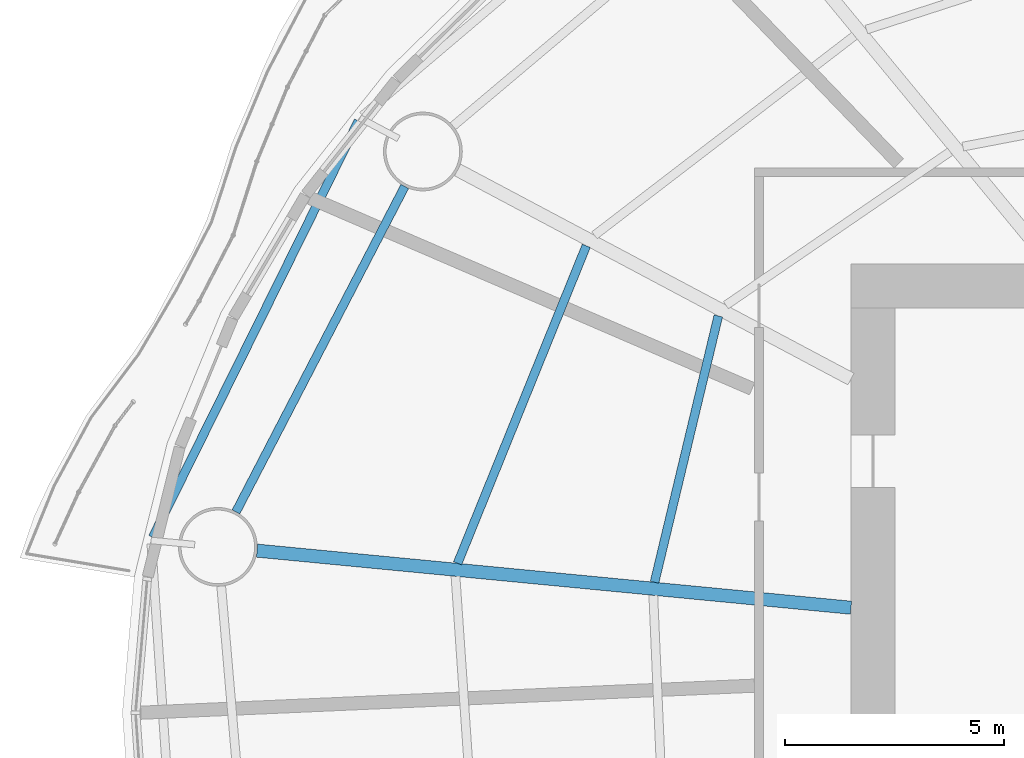
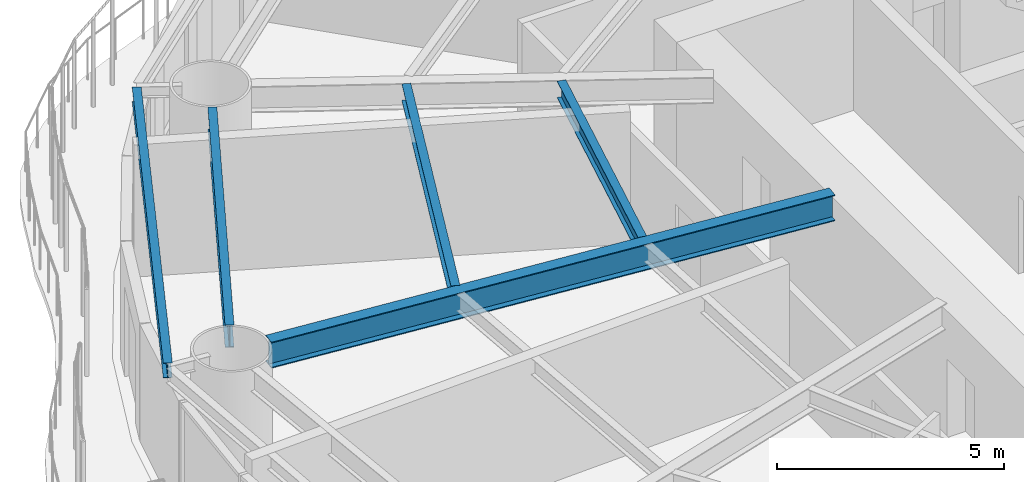
# One storey, part 3 of 16: 5 beams.
"""IFC4 building model written with IfcOpenShell, lengths in metres."""

from ifc_helpers import new_model, si_unit, direction, frame, origin, origin_2d, place, context, subcontext, project, spatial, i_section, extrude, material, material_profile, profile_set, type_object, element, save


model = new_model("IFC4")

# Units and contexts
model_context = context("Model", 3, precision=1e-05, world=origin(), true_north=direction((0.0, 1.0)))
body_context = subcontext(model_context, "Body", "Model", "MODEL_VIEW")
ifc_project = project(units=[si_unit("LENGTHUNIT", "METRE"), si_unit("AREAUNIT", "SQUARE_METRE"), si_unit("VOLUMEUNIT", "CUBIC_METRE"), si_unit("PLANEANGLEUNIT", "RADIAN"), si_unit("MASSUNIT", "GRAM", prefix="KILO")], contexts=[model_context])

# Site, building, storey
site_placement = place(None, origin())
site = spatial("IfcSite", under=ifc_project, at=site_placement, CompositionType="ELEMENT")
building_placement = place(site_placement, origin())
building = spatial("IfcBuilding", under=site, at=building_placement, Name="Vermilion Reach Broadcast Tower", CompositionType="ELEMENT")
storey_placement = place(building_placement, frame((0.0, 0.0, 69.300048828125)))
storey = spatial("IfcBuildingStorey", under=building, at=storey_placement, Name="L14", CompositionType="ELEMENT", Elevation=69.300048828125)

# Beams
ifc_material_1 = material(Name="Steel S355J2", Category="steel")
ifc_material_profile_1 = material_profile(ifc_material_1, i_section(OverallWidth=0.199951171875, OverallDepth=0.39990234375, WebThickness=0.008056640625, FlangeThickness=0.012939453125, at=origin_2d()), Name="S355J2 HN 400x200x8x13")
ifc_profile_set_1 = profile_set([ifc_material_profile_1], Name="Steel S355J2")
beam_type_1 = type_object("IfcBeamType", Name="EB1 HN 400x200x8x13", PredefinedType="BEAM", material=ifc_profile_set_1)
beam_1_placement = place(storey_placement, frame((-29.251708984375, 12.27294921875, 3.349853515625), z_axis=(-0.443112827644, -0.896465850982, 0.0), x_axis=(0.896465850982, -0.443112827644, 0.0)))
element("IfcBeam", 1, at=beam_1_placement, inside=storey, type_object=beam_type_1, Name="Edge beam EB1-07", PredefinedType="BEAM", context=body_context, shape_type="SweptSolid", body=[
    extrude(i_section(OverallWidth=0.199951171875, OverallDepth=0.39990234375, WebThickness=0.008056640625, FlangeThickness=0.012939453125, at=origin_2d()), origin(), (0.0, 0.0, 1.0), 10.609375),
])
ifc_material_2 = material(Name="Steel S355J2", Category="steel")
ifc_material_profile_2 = material_profile(ifc_material_2, i_section(OverallWidth=0.300048828125, OverallDepth=0.699951171875, WebThickness=0.012939453125, FlangeThickness=0.02392578125, at=origin_2d()), Name="S355J2 HN 700x300x13x24")
ifc_profile_set_2 = profile_set([ifc_material_profile_2], Name="Steel S355J2")
beam_type_2 = type_object("IfcBeamType", Name="G1 HN 700x300x13x24", PredefinedType="BEAM", material=ifc_profile_set_2)
beam_2_placement = place(storey_placement, frame((-18.0, 1.1533203125, 3.199951171875), z_axis=(-0.995412178872, 0.095679643363, 0.0), x_axis=(-0.095679643363, -0.995412178872, 0.0)))
element("IfcBeam", 2, at=beam_2_placement, inside=storey, type_object=beam_type_2, Name="Girder G1-08", PredefinedType="BEAM", context=body_context, shape_type="SweptSolid", body=[
    extrude(i_section(OverallWidth=0.300048828125, OverallDepth=0.699951171875, WebThickness=0.012939453125, FlangeThickness=0.02392578125, at=origin_2d()), origin(), (0.0, 0.0, 1.0), 13.630859375),
])
ifc_material_3 = material(Name="Steel S355J2", Category="steel")
ifc_material_profile_3 = material_profile(ifc_material_3, i_section(OverallWidth=0.199951171875, OverallDepth=0.60009765625, WebThickness=0.010986328125, FlangeThickness=0.01708984375, at=origin_2d()), Name="S355J2 HN 600x200x11x17")
ifc_profile_set_3 = profile_set([ifc_material_profile_3], Name="Steel S355J2")
beam_type_3 = type_object("IfcBeamType", Name="RB1 HN 600x200x11x17", PredefinedType="BEAM", material=ifc_profile_set_3)
beam_3_placement = place(storey_placement, frame((-28.194091796875, 10.776611328125, 3.25), z_axis=(-0.460411617218, -0.887705549566, 0.0), x_axis=(0.887705549566, -0.460411617218, 0.0)))
element("IfcBeam", 3, at=beam_3_placement, inside=storey, type_object=beam_type_3, Name="Ring beam RB1-07", PredefinedType="BEAM", context=body_context, shape_type="SweptSolid", body=[
    extrude(i_section(OverallWidth=0.199951171875, OverallDepth=0.60009765625, WebThickness=0.010986328125, FlangeThickness=0.01708984375, at=origin_2d()), origin(), (0.0, 0.0, 1.0), 8.37451171875),
])
ifc_material_4 = material(Name="Steel S355J2", Category="steel")
ifc_material_profile_4 = material_profile(ifc_material_4, i_section(OverallWidth=0.199951171875, OverallDepth=0.449951171875, WebThickness=0.009033203125, FlangeThickness=0.013916015625, at=origin_2d()), Name="S355J2 HN 450x200x9x14")
ifc_profile_set_4 = profile_set([ifc_material_profile_4], Name="Steel S355J2")
beam_type_4 = type_object("IfcBeamType", Name="SB1 HN 450x200x9x14", PredefinedType="BEAM", material=ifc_profile_set_4)
beam_4_placement = place(storey_placement, frame((-21.031005859375, 7.81884765625, 3.324951171875), z_axis=(-0.232844467589, -0.972513986487, 0.0), x_axis=(0.972513986487, -0.232844467589, 0.0)))
element("IfcBeam", 4, at=beam_4_placement, inside=storey, type_object=beam_type_4, Name="Secondary beam SB1-07-1", PredefinedType="BEAM", context=body_context, shape_type="SweptSolid", body=[
    extrude(i_section(OverallWidth=0.199951171875, OverallDepth=0.449951171875, WebThickness=0.009033203125, FlangeThickness=0.013916015625, at=origin_2d()), origin(), (0.0, 0.0, 1.0), 6.25537109375),
])
beam_5_placement = place(storey_placement, frame((-24.046630859375, 9.421630859375, 3.324951171875), z_axis=(-0.375640669938, -0.926765389453, 0.0), x_axis=(0.926765389453, -0.375640669938, 0.0)))
element("IfcBeam", 5, at=beam_5_placement, inside=storey, type_object=beam_type_4, Name="Secondary beam SB1-07-2", PredefinedType="BEAM", context=body_context, shape_type="SweptSolid", body=[
    extrude(i_section(OverallWidth=0.199951171875, OverallDepth=0.449951171875, WebThickness=0.009033203125, FlangeThickness=0.013916015625, at=origin_2d()), origin(), (0.0, 0.0, 1.0), 7.8271484375),
])

save(model, "model.ifc")
